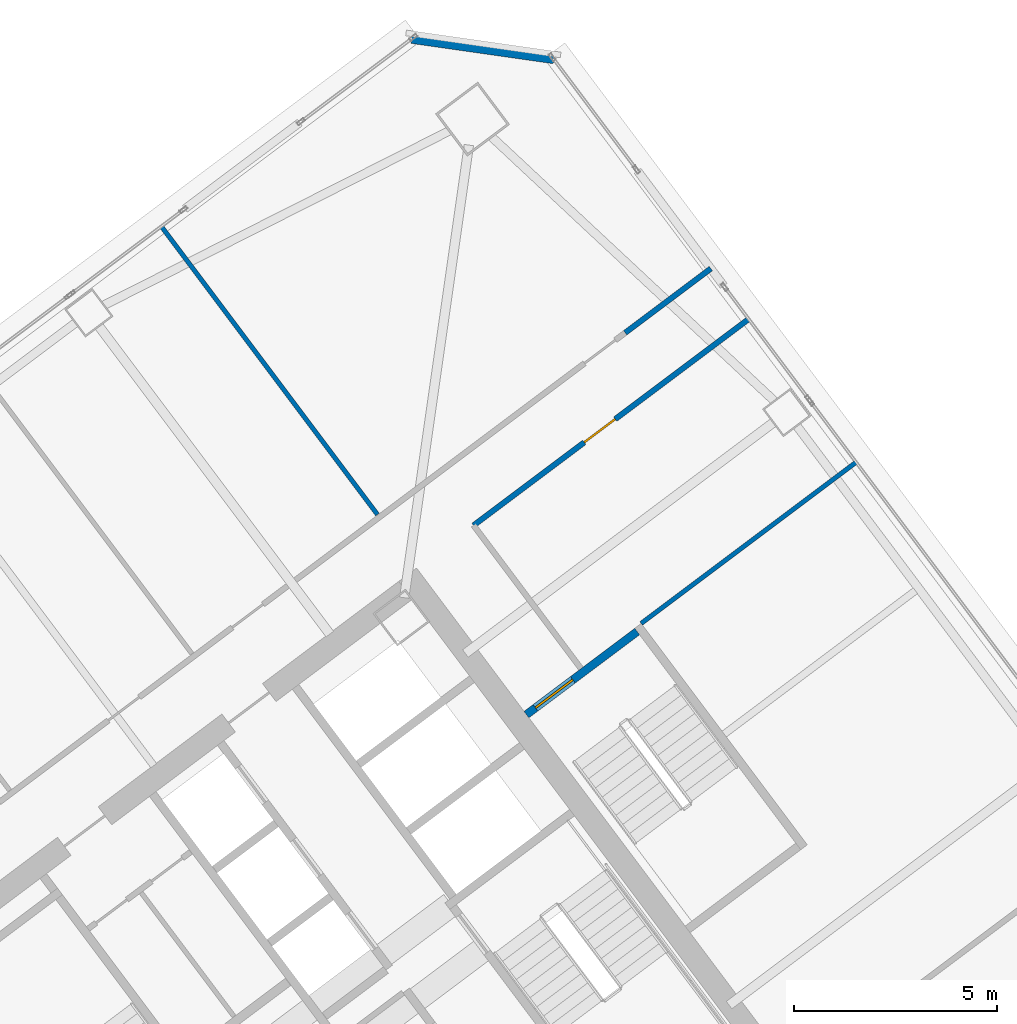
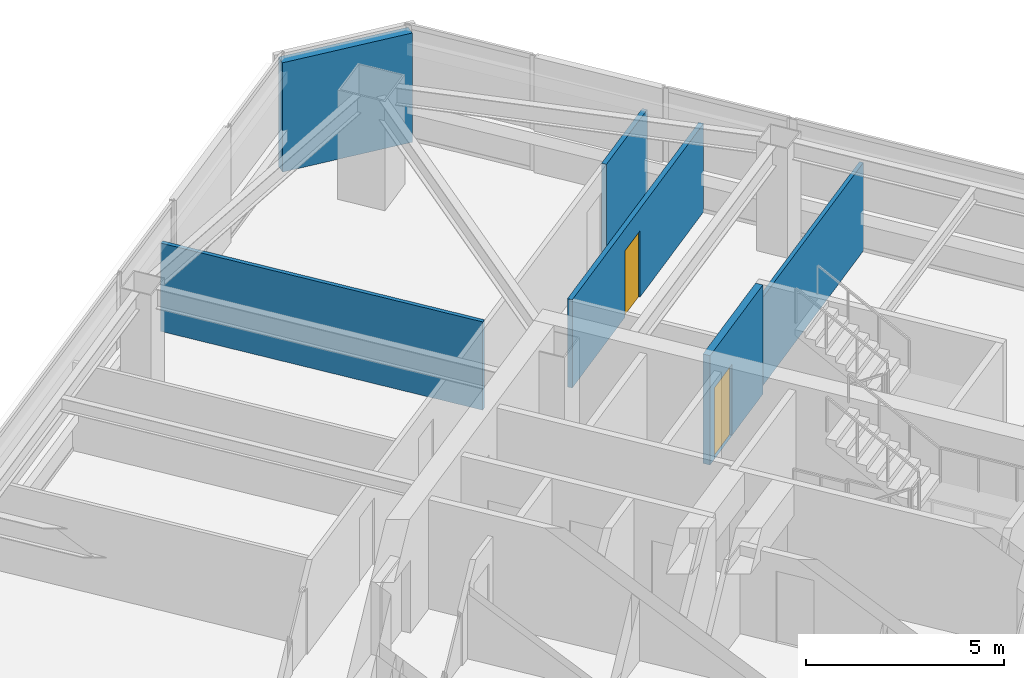
# One storey, part 40 of 46: 6 walls, 2 doors, 2 openings.
"""IFC4 building model written with IfcOpenShell, lengths in metres."""

from ifc_helpers import new_model, si_unit, direction, frame, frame_2d, origin, place, context, subcontext, project, spatial, rectangle, extrude, material, layer, layer_set, type_object, element, fill, save


model = new_model("IFC4")

# Units and contexts
model_context = context("Model", 3, precision=1e-05, world=origin(), true_north=direction((0.0, 1.0)))
body_context = subcontext(model_context, "Body", "Model", "MODEL_VIEW")
ifc_project = project(units=[si_unit("LENGTHUNIT", "METRE"), si_unit("AREAUNIT", "SQUARE_METRE"), si_unit("VOLUMEUNIT", "CUBIC_METRE"), si_unit("PLANEANGLEUNIT", "RADIAN"), si_unit("MASSUNIT", "GRAM", prefix="KILO")], contexts=[model_context])

# Site, building, storey
site_placement = place(None, origin())
site = spatial("IfcSite", under=ifc_project, at=site_placement, CompositionType="ELEMENT")
building_placement = place(site_placement, origin())
building = spatial("IfcBuilding", under=site, at=building_placement, Name="Tashvorn Skyway Center", CompositionType="ELEMENT")
storey_placement = place(building_placement, frame((0.0, 0.0, 139.25)))
storey = spatial("IfcBuildingStorey", under=building, at=storey_placement, Name="L37", CompositionType="ELEMENT", Elevation=139.25)

# Walls
ifc_material_1 = material(Name="Precast concrete C40/50", Category="concrete")
ifc_layer_1 = layer(ifc_material_1, 0.280029296875)
ifc_layer_set_1 = layer_set([ifc_layer_1], Name="Precast concrete C40/50")
wall_type_1 = type_object("IfcWallType", Name="WALL-EXT-280", PredefinedType="SOLIDWALL", material=ifc_layer_set_1)
wall_1_placement = place(storey_placement, frame((115.659912109375, 56.1201171875, 0.0), z_axis=(0.0, 0.0, 1.0), x_axis=(0.989949493661, -0.141421356237, 0.0)))
element("IfcWall", 1, at=wall_1_placement, inside=storey, type_object=wall_type_1, Name="Tower 2 L37 NE Precast Chamfer Wall", PredefinedType="SOLIDWALL", context=body_context, shape_type="SweptSolid", body=[
    extrude(rectangle(XDim=3.53564453125, YDim=0.280029296875, at=frame_2d((1.767822265625, 0.0))), origin(), (0.0, 0.0, 1.0), 3.3701171875),
])
ifc_material_2 = material(Name="Gypsum board on cold-formed steel stud framing", Category="steel")
ifc_layer_2 = layer(ifc_material_2, 0.110107421875)
ifc_layer_set_2 = layer_set([ifc_layer_2], Name="Gypsum board on cold-formed steel stud framing")
wall_type_2 = type_object("IfcWallType", Name="WALL-PART-110", PredefinedType="PARTITIONING", material=ifc_layer_set_2)
wall_2_placement = place(storey_placement, frame((114.822021484375, 44.404052734375, 0.0), z_axis=(0.0, 0.0, 1.0), x_axis=(-0.600013241589, 0.799990068637, 0.0)))
element("IfcWall", 2, at=wall_2_placement, inside=storey, type_object=wall_type_2, Name="Tower 2 L37 North Suite Partition 4", PredefinedType="PARTITIONING", context=body_context, shape_type="SweptSolid", body=[
    extrude(rectangle(XDim=8.849853515625, YDim=0.110107421875, at=frame_2d((4.4248046875, 0.0))), origin(), (0.0, 0.0, 1.0), 2.722900390625),
])
wall_3_placement = place(storey_placement, frame((126.583984375, 45.68798828125, 0.0), z_axis=(0.0, 0.0, 1.0), x_axis=(-0.800004438899, -0.599994081423, 0.0)))
element("IfcWall", 3, at=wall_3_placement, inside=storey, type_object=wall_type_2, Name="Tower 2 L37 East Suite Partition 1", PredefinedType="PARTITIONING", context=body_context, shape_type="SweptSolid", body=[
    extrude(rectangle(XDim=6.60009765625, YDim=0.110107421875, at=frame_2d((3.300048828125, 0.0))), origin(), (0.0, 0.0, 1.0), 2.722900390625),
])
ifc_layer_3 = layer(ifc_material_2, 0.135009765625)
ifc_layer_set_3 = layer_set([ifc_layer_3], Name="Gypsum board on cold-formed steel stud framing")
wall_type_3 = type_object("IfcWallType", Name="WALL-PART-135", PredefinedType="PARTITIONING", material=ifc_layer_set_3)
wall_4_placement = place(storey_placement, frame((120.909912109375, 48.8701171875, 0.0), z_axis=(0.0, 0.0, 1.0), x_axis=(0.80002227902, 0.599970293491, 0.0)))
element("IfcWall", 4, at=wall_4_placement, inside=storey, type_object=wall_type_3, Name="Tower 2 L37 North-East Suite South Wall", PredefinedType="PARTITIONING", context=body_context, shape_type="SweptSolid", body=[
    extrude(rectangle(XDim=2.6298828125, YDim=0.135009765625, at=frame_2d((1.31494140625, 0.0))), origin(), (0.0, 0.0, 1.0), 2.722900390625),
])

# Wall, opening, door
wall_5_placement = place(storey_placement, frame((123.944091796875, 49.2080078125, 0.0), z_axis=(0.0, 0.0, 1.0), x_axis=(-0.799996532921, -0.600004622744, 0.0)))
wall_5 = element("IfcWall", 5, at=wall_5_placement, inside=storey, type_object=wall_type_3, Name="Tower 2 L37 East Suite North Wall", PredefinedType="PARTITIONING", context=body_context, shape_type="SweptSolid", body=[
    extrude(rectangle(XDim=8.449951171875, YDim=0.135009765625, at=frame_2d((4.22509765625, 0.0))), origin(), (0.0, 0.0, 1.0), 2.722900390625),
])
opening_1_placement = place(wall_5_placement, frame((4.10009765625, 0.0, 0.0)))
opening_1 = element("IfcOpeningElement", 6, at=opening_1_placement, cuts=wall_5, Name="Opening D-INT-950", PredefinedType="OPENING", context=body_context, shape_type="SweptSolid", body=[
    extrude(rectangle(XDim=0.949951171875, YDim=2.050048828125, at=frame_2d((0.47509765625, 1.02490234375))), frame((0.0, 0.077392578125, 0.0), z_axis=(0.0, -1.0, 0.0), x_axis=(1.0, 0.0, 0.0)), (0.0, 0.0, 1.0), 0.155029296875),
])
ifc_material_3 = material(Name="Solid-core architectural oak veneer door")
door_type_1 = type_object("IfcDoorType", Name="DOOR-INT-950", OperationType="NOTDEFINED", PredefinedType="DOOR", material=ifc_material_3)
door_1_placement = place(opening_1_placement, origin())
door_1 = element("IfcDoor", 7, at=door_1_placement, inside=storey, type_object=door_type_1, Name="Tower 2 L37 Research Library Door", OperationType="SINGLE_SWING_LEFT", OverallHeight=2.050048828125, OverallWidth=0.949951171875, PredefinedType="DOOR", context=body_context, shape_type="SweptSolid", body=[
    extrude(rectangle(XDim=0.949951171875, YDim=2.050048828125, at=frame_2d((0.47509765625, 1.02490234375))), frame((0.0, 0.02490234375, 0.0), z_axis=(0.0, -1.0, 0.0), x_axis=(1.0, 0.0, 0.0)), (0.0, 0.0, 1.0), 0.050048828125),
])
fill(opening_1, door_1)

ifc_material_4 = material(Name="Concrete C40/50", Category="concrete")
ifc_layer_4 = layer(ifc_material_4, 0.199951171875)
ifc_layer_set_4 = layer_set([ifc_layer_4], Name="Concrete C40/50")
wall_type_4 = type_object("IfcWallType", Name="WALL-STSHF-200", PredefinedType="SHEAR", material=ifc_layer_set_4)
wall_6_placement = place(storey_placement, frame((121.2041015625, 41.528076171875, 0.0), z_axis=(0.0, 0.0, 1.0), x_axis=(-0.800017232136, -0.599977023131, 0.0)))
wall_6 = element("IfcWall", 8, at=wall_6_placement, inside=storey, type_object=wall_type_4, Name="Tower 2 L37 Stair 3 Enclosure Wall", PredefinedType="SHEAR", context=body_context, shape_type="SweptSolid", body=[
    extrude(rectangle(XDim=3.400146484375, YDim=0.199951171875, at=frame_2d((1.7001953125, 0.0))), origin(), (0.0, 0.0, 1.0), 3.3701171875),
])
opening_2_placement = place(wall_6_placement, frame((1.97509765625, 0.0, 0.0)))
opening_2 = element("IfcOpeningElement", 9, at=opening_2_placement, cuts=wall_6, Name="Opening D-ST-1150", PredefinedType="OPENING", context=body_context, shape_type="SweptSolid", body=[
    extrude(rectangle(XDim=1.14990234375, YDim=2.199951171875, at=frame_2d((0.574951171875, 1.10009765625))), frame((0.0, 0.10986328125, 0.0), z_axis=(0.0, -1.0, 0.0), x_axis=(1.0, 0.0, 0.0)), (0.0, 0.0, 1.0), 0.219970703125),
])
ifc_material_5 = material(Name="Hollow galvanized steel fire door assembly", Category="steel")
door_type_2 = type_object("IfcDoorType", Name="DOOR-STAIR-1150", OperationType="NOTDEFINED", PredefinedType="DOOR", material=ifc_material_5)
door_2_placement = place(opening_2_placement, origin())
door_2 = element("IfcDoor", 10, at=door_2_placement, inside=storey, type_object=door_type_2, Name="Tower 2 L37 Exit Stair 3 Door", OperationType="SINGLE_SWING_RIGHT", OverallHeight=2.199951171875, OverallWidth=1.14990234375, PredefinedType="DOOR", context=body_context, shape_type="SweptSolid", body=[
    extrude(rectangle(XDim=1.14990234375, YDim=2.199951171875, at=frame_2d((0.574951171875, 1.10009765625))), frame((0.0, 0.02490234375, 0.0), z_axis=(0.0, -1.0, 0.0), x_axis=(1.0, 0.0, 0.0)), (0.0, 0.0, 1.0), 0.050048828125),
])
fill(opening_2, door_2)

save(model, "model.ifc")
